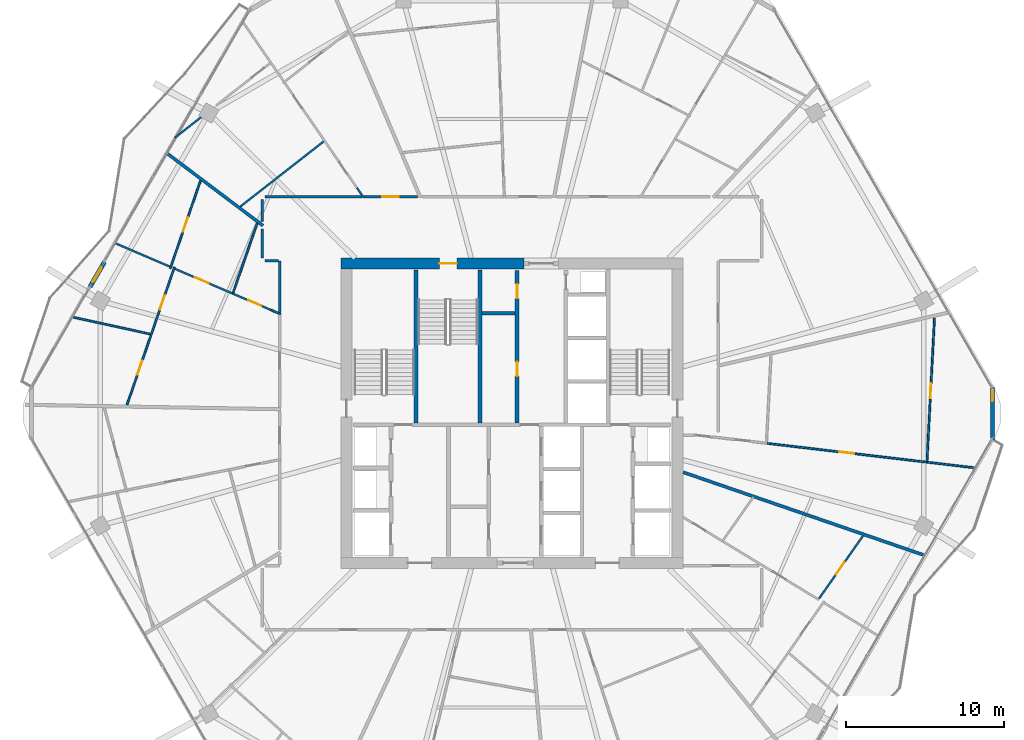
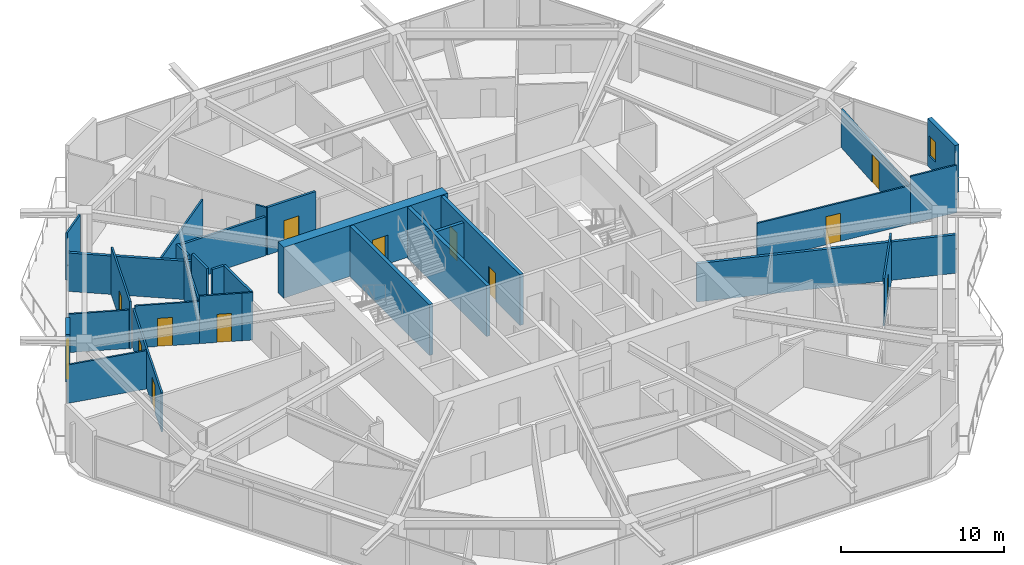
# One storey, part 20 of 26: 30 walls, 13 doors, 1 window, 14 openings.
"""IFC4 building model written with IfcOpenShell, lengths in metres."""

from ifc_helpers import new_model, si_unit, direction, frame, frame_2d, origin, place, context, subcontext, project, spatial, rectangle, extrude, material, layer, layer_set, type_object, element, fill, save


model = new_model("IFC4")

# Units and contexts
model_context = context("Model", 3, precision=1e-05, world=origin(), true_north=direction((0.0, 1.0)))
body_context = subcontext(model_context, "Body", "Model", "MODEL_VIEW")
ifc_project = project(units=[si_unit("LENGTHUNIT", "METRE"), si_unit("AREAUNIT", "SQUARE_METRE"), si_unit("VOLUMEUNIT", "CUBIC_METRE"), si_unit("PLANEANGLEUNIT", "RADIAN"), si_unit("MASSUNIT", "GRAM", prefix="KILO")], contexts=[model_context])

# Site, building, storey
site_placement = place(None, origin())
site = spatial("IfcSite", under=ifc_project, at=site_placement, CompositionType="ELEMENT")
building_placement = place(site_placement, origin())
building = spatial("IfcBuilding", under=site, at=building_placement, Name="Zuhravey Tower", CompositionType="ELEMENT")
storey_placement = place(building_placement, frame((0.0, 0.0, 211.199951171875)))
storey = spatial("IfcBuildingStorey", under=building, at=storey_placement, Name="L53", CompositionType="ELEMENT", Elevation=211.199951171875)

# Wall, opening, door
ifc_material_1 = material(Name="Concrete C60/75", Category="concrete")
ifc_layer_1 = layer(ifc_material_1, 0.699951171875)
ifc_layer_set_1 = layer_set([ifc_layer_1], Name="Concrete C60/75")
wall_type_1 = type_object("IfcWallType", Name="Core Shear Wall 700", PredefinedType="SHEAR", material=ifc_layer_set_1)
wall_1_placement = place(storey_placement, frame((36.75, 41.5, 0.0), z_axis=(0.0, 0.0, 1.0), x_axis=(-1.0, 0.0, 0.0)))
wall_1 = element("IfcWall", 1, at=wall_1_placement, inside=storey, type_object=wall_type_1, Name="L53 North-West Core Shear Wall CW70", PredefinedType="SHEAR", context=body_context, shape_type="SweptSolid", body=[
    extrude(rectangle(XDim=11.60009765625, YDim=0.699951171875, at=frame_2d((5.800048828125, 0.0))), origin(), (0.0, 0.0, 1.0), 3.800048828125),
])
opening_1_placement = place(wall_1_placement, frame((4.25, 0.0, 0.0)))
opening_1 = element("IfcOpeningElement", 2, at=opening_1_placement, cuts=wall_1, Name="Opening STD1", PredefinedType="OPENING", context=body_context, shape_type="SweptSolid", body=[
    extrude(rectangle(XDim=1.10009765625, YDim=2.14990234375, at=frame_2d((0.550048828125, 1.074951171875))), frame((0.0, 0.362060546875, 0.0), z_axis=(0.0, -1.0, 0.0), x_axis=(1.0, 0.0, 0.0)), (0.0, 0.0, 1.0), 0.723876953125),
])
ifc_material_2 = material(Name="Galvanised fire-rated steel leaf", Category="steel")
door_type_1 = type_object("IfcDoorType", Name="Protected Stair Fire Door 1100x2150", OperationType="NOTDEFINED", PredefinedType="USERDEFINED", material=ifc_material_2)
door_1_placement = place(opening_1_placement, origin())
door_1 = element("IfcDoor", 3, at=door_1_placement, inside=storey, type_object=door_type_1, Name="L53 Stair ST3 Door", ObjectType="EXITDOOR", OperationType="SINGLE_SWING_LEFT", OverallHeight=2.14990234375, OverallWidth=1.10009765625, PredefinedType="USERDEFINED", context=body_context, shape_type="SweptSolid", body=[
    extrude(rectangle(XDim=1.10009765625, YDim=2.14990234375, at=frame_2d((0.550048828125, 1.074951171875))), frame((0.0, 0.02490234375, 0.0), z_axis=(0.0, -1.0, 0.0), x_axis=(1.0, 0.0, 0.0)), (0.0, 0.0, 1.0), 0.050048828125),
])
fill(opening_1, door_1)

ifc_material_3 = material(Name="Gypsum fire-rated stud partition")
ifc_layer_2 = layer(ifc_material_3, 0.159912109375)
ifc_layer_set_2 = layer_set([ifc_layer_2], Name="Gypsum fire-rated stud partition")
wall_type_2 = type_object("IfcWallType", Name="Corridor Fire Partition 160", PredefinedType="PARTITIONING", material=ifc_layer_set_2)
wall_2_placement = place(storey_placement, frame((30.00830078125, 45.72998046875, 0.0), z_axis=(0.0, 0.0, 1.0), x_axis=(-1.0, 0.0, 0.0)))
wall_2 = element("IfcWall", 4, at=wall_2_placement, inside=storey, type_object=wall_type_2, Name="L53 IW16 Partition 035", PredefinedType="PARTITIONING", context=body_context, shape_type="SweptSolid", body=[
    extrude(rectangle(XDim=3.427490234375, YDim=0.159912109375, at=frame_2d((1.7138671875, 0.0))), origin(), (0.0, 0.0, 1.0), 3.550048828125),
])
opening_2_placement = place(wall_2_placement, frame((1.188720703125, 0.0, 0.0)))
opening_2 = element("IfcOpeningElement", 5, at=opening_2_placement, cuts=wall_2, Name="Opening APD1", PredefinedType="OPENING", context=body_context, shape_type="SweptSolid", body=[
    extrude(rectangle(XDim=1.050048828125, YDim=2.14990234375, at=frame_2d((0.52490234375, 1.074951171875))), frame((0.0, 0.092041015625, 0.0), z_axis=(0.0, -1.0, 0.0), x_axis=(1.0, 0.0, 0.0)), (0.0, 0.0, 1.0), 0.183837890625),
])
ifc_material_4 = material(Name="Solid-core oak fire-rated leaf")
door_type_2 = type_object("IfcDoorType", Name="Apartment Entrance Fire Door 1050x2150", OperationType="NOTDEFINED", PredefinedType="DOOR", material=ifc_material_4)
door_2_placement = place(opening_2_placement, frame((1.050048828125, 0.0, 0.0), z_axis=(0.0, 0.0, 1.0), x_axis=(-1.0, 0.0, 0.0)))
door_2 = element("IfcDoor", 6, at=door_2_placement, inside=storey, type_object=door_type_2, Name="L53 Door 035.1", OperationType="SINGLE_SWING_LEFT", OverallHeight=2.14990234375, OverallWidth=1.050048828125, PredefinedType="DOOR", context=body_context, shape_type="SweptSolid", body=[
    extrude(rectangle(XDim=1.050048828125, YDim=2.14990234375, at=frame_2d((0.52490234375, 1.074951171875))), frame((0.0, 0.02490234375, 0.0), z_axis=(0.0, -1.0, 0.0), x_axis=(1.0, 0.0, 0.0)), (0.0, 0.0, 1.0), 0.050048828125),
])
fill(opening_2, door_2)

# Walls
wall_3_placement = place(storey_placement, frame((26.47412109375, 45.72998046875, 0.0), z_axis=(0.0, 0.0, 1.0), x_axis=(-1.0, 0.0, 0.0)))
element("IfcWall", 7, at=wall_3_placement, inside=storey, type_object=wall_type_2, Name="L53 IW16 Partition 124", PredefinedType="PARTITIONING", context=body_context, shape_type="SweptSolid", body=[
    extrude(rectangle(XDim=6.1240234375, YDim=0.159912109375, at=frame_2d((3.06201171875, 0.0))), origin(), (0.0, 0.0, 1.0), 2.900146484375),
])
wall_4_placement = place(storey_placement, frame((20.169921875, 45.550048828125, 0.0), z_axis=(0.0, 0.0, 1.0), x_axis=(0.0, -1.0, 0.0)))
element("IfcWall", 8, at=wall_4_placement, inside=storey, type_object=wall_type_2, Name="L53 IW16 Partition 125", PredefinedType="PARTITIONING", context=body_context, shape_type="SweptSolid", body=[
    extrude(rectangle(XDim=1.3779296875, YDim=0.159912109375, at=frame_2d((0.68896484375, 0.0))), origin(), (0.0, 0.0, 1.0), 3.150146484375),
])
wall_5_placement = place(storey_placement, frame((21.27001953125, 41.669921875, 0.0), z_axis=(0.0, 0.0, 1.0), x_axis=(0.0, -1.0, 0.0)))
element("IfcWall", 9, at=wall_5_placement, inside=storey, type_object=wall_type_2, Name="L53 IW16 Partition 126", PredefinedType="PARTITIONING", context=body_context, shape_type="SweptSolid", body=[
    extrude(rectangle(XDim=3.28271484375, YDim=0.159912109375, at=frame_2d((1.641357421875, 0.0))), origin(), (0.0, 0.0, 1.0), 3.550048828125),
])
wall_6_placement = place(storey_placement, frame((20.169921875, 43.688720703125, 0.0), z_axis=(0.0, 0.0, 1.0), x_axis=(0.0, -1.0, 0.0)))
element("IfcWall", 10, at=wall_6_placement, inside=storey, type_object=wall_type_2, Name="L53 IW16 Partition 127", PredefinedType="PARTITIONING", context=body_context, shape_type="SweptSolid", body=[
    extrude(rectangle(XDim=1.838623046875, YDim=0.159912109375, at=frame_2d((0.91943359375, 0.0))), origin(), (0.0, 0.0, 1.0), 3.550048828125),
])
wall_7_placement = place(storey_placement, frame((20.35009765625, 41.669921875, 0.0), z_axis=(0.0, 0.0, 1.0), x_axis=(1.0, 0.0, 0.0)))
element("IfcWall", 11, at=wall_7_placement, inside=storey, type_object=wall_type_2, Name="L53 IW16 Partition 128", PredefinedType="PARTITIONING", context=body_context, shape_type="SweptSolid", body=[
    extrude(rectangle(XDim=0.831787109375, YDim=0.159912109375, at=frame_2d((0.416015625, 0.0))), origin(), (0.0, 0.0, 1.0), 3.550048828125),
])

# Wall, opening, door
ifc_material_5 = material(Name="Precast concrete C40/50", Category="concrete")
ifc_layer_3 = layer(ifc_material_5, 0.280029296875)
ifc_layer_set_3 = layer_set([ifc_layer_3], Name="Precast concrete C40/50")
wall_type_3 = type_object("IfcWallType", Name="Crown Architectural Wall 280", PredefinedType="SOLIDWALL", material=ifc_layer_set_3)
wall_8_placement = place(storey_placement, frame((9.244384765625, 40.024169921875, 0.0), z_axis=(0.0, 0.0, 1.0), x_axis=(0.499982180423, 0.866035691677, 0.0)))
wall_8 = element("IfcWall", 12, at=wall_8_placement, inside=storey, type_object=wall_type_3, Name="L53 Face 3 Facade Pier EW28-1", PredefinedType="SOLIDWALL", context=body_context, shape_type="SweptSolid", body=[
    extrude(rectangle(XDim=1.7900390625, YDim=0.280029296875, at=frame_2d((0.89501953125, 0.0))), origin(), (0.0, 0.0, 1.0), 3.550048828125),
])
opening_3_placement = place(wall_8_placement, frame((0.344970703125, 0.0, 0.0)))
opening_3 = element("IfcOpeningElement", 13, at=opening_3_placement, cuts=wall_8, Name="Opening BLD1", PredefinedType="OPENING", context=body_context, shape_type="SweptSolid", body=[
    extrude(rectangle(XDim=1.10009765625, YDim=2.199951171875, at=frame_2d((0.550048828125, 1.10009765625))), frame((0.0, 0.152099609375, 0.0), z_axis=(0.0, -1.0, 0.0), x_axis=(1.0, 0.0, 0.0)), (0.0, 0.0, 1.0), 0.303955078125),
])
ifc_material_6 = material(Name="Thermally broken aluminium and low-E glass", Category="aluminium")
door_type_3 = type_object("IfcDoorType", Name="Balcony & Sky-Tray Glazed Door 1100x2200", OperationType="NOTDEFINED", PredefinedType="DOOR", material=ifc_material_6)
door_3_placement = place(opening_3_placement, frame((1.10009765625, 0.0, 0.0), z_axis=(0.0, 0.0, 1.0), x_axis=(-1.0, 0.0, 0.0)))
door_3 = element("IfcDoor", 14, at=door_3_placement, inside=storey, type_object=door_type_3, Name="L53 Face 3 Wave Balcony Door", OperationType="SINGLE_SWING_RIGHT", OverallHeight=2.199951171875, OverallWidth=1.10009765625, PredefinedType="DOOR", context=body_context, shape_type="SweptSolid", body=[
    extrude(rectangle(XDim=1.10009765625, YDim=2.199951171875, at=frame_2d((0.550048828125, 1.10009765625))), frame((0.0, 0.02490234375, 0.0), z_axis=(0.0, -1.0, 0.0), x_axis=(1.0, 0.0, 0.0)), (0.0, 0.0, 1.0), 0.050048828125),
])
fill(opening_3, door_3)

# Wall, opening, window
wall_9_placement = place(storey_placement, frame((66.4716796875, 33.6826171875, 0.0), z_axis=(0.0, 0.0, 1.0), x_axis=(0.0, -1.0, 0.0)))
wall_9 = element("IfcWall", 15, at=wall_9_placement, inside=storey, type_object=wall_type_3, Name="L53 Rounded Corner Closure Wall EW28-12", PredefinedType="SOLIDWALL", context=body_context, shape_type="SweptSolid", body=[
    extrude(rectangle(XDim=3.365234375, YDim=0.280029296875, at=frame_2d((1.6826171875, 0.0))), origin(), (0.0, 0.0, 1.0), 3.550048828125),
])
opening_4_placement = place(wall_9_placement, frame((0.17919921875, 0.0, 0.85009765625)))
opening_4 = element("IfcOpeningElement", 16, at=opening_4_placement, cuts=wall_9, Name="Opening WN5", PredefinedType="OPENING", context=body_context, shape_type="SweptSolid", body=[
    extrude(rectangle(XDim=0.75, YDim=1.5, at=frame_2d((0.375, 0.75))), frame((0.0, 0.152099609375, 0.0), z_axis=(0.0, -1.0, 0.0), x_axis=(1.0, 0.0, 0.0)), (0.0, 0.0, 1.0), 0.303955078125),
])
ifc_material_7 = material(Name="Thermally broken aluminium and triple low-E glass", Category="aluminium")
window_type = type_object("IfcWindowType", Name="Residential Corner Casement Window 750x1500", PartitioningType="SINGLE_PANEL", PredefinedType="WINDOW", material=ifc_material_7)
window_placement = place(opening_4_placement, origin())
window = element("IfcWindow", 17, at=window_placement, inside=storey, type_object=window_type, Name="L53 Corner Casement Window WN5-12.1", OverallHeight=1.5, OverallWidth=0.75, PartitioningType="SINGLE_PANEL", PredefinedType="WINDOW", context=body_context, shape_type="SweptSolid", body=[
    extrude(rectangle(XDim=0.75, YDim=1.5, at=frame_2d((0.375, 0.75))), frame((0.0, 0.030029296875, 0.0), z_axis=(0.0, -1.0, 0.0), x_axis=(1.0, 0.0, 0.0)), (0.0, 0.0, 1.0), 0.06005859375),
])
fill(opening_4, window)

# Walls
ifc_material_8 = material(Name="Concrete C50/60", Category="concrete")
ifc_layer_4 = layer(ifc_material_8, 0.25)
ifc_layer_set_4 = layer_set([ifc_layer_4], Name="Concrete C50/60")
wall_type_4 = type_object("IfcWallType", Name="Firefighting Shaft & Stair Wall 250", PredefinedType="SOLIDWALL", material=ifc_layer_set_4)
for number, where, z_axis, x_axis, name in (
    (18, (29.925048828125, 31.39990234375, 0.0), (0.0, 0.0, 1.0), (0.0, 1.0, 0.0), "L53 FW25 Shaft Wall 004"),
    (19, (33.97509765625, 31.39990234375, 0.0), (0.0, 0.0, 1.0), (0.0, 1.0, 0.0), "L53 FW25 Shaft Wall 005"),
):
    element("IfcWall", number, at=place(storey_placement, frame(where, z_axis=z_axis, x_axis=x_axis)), inside=storey, type_object=wall_type_4, Name=name, PredefinedType="SOLIDWALL", context=body_context, shape_type="SweptSolid", body=[
        extrude(rectangle(XDim=9.7001953125, YDim=0.25, at=frame_2d((4.85009765625, 0.0))), origin(), (0.0, 0.0, 1.0), 3.800048828125),
    ])

# Wall, openings, doors
wall_10_placement = place(storey_placement, frame((36.324951171875, 31.39990234375, 0.0), z_axis=(0.0, 0.0, 1.0), x_axis=(0.0, 1.0, 0.0)))
wall_10 = element("IfcWall", 20, at=wall_10_placement, inside=storey, type_object=wall_type_4, Name="L53 FW25 Shaft Wall 007", PredefinedType="SOLIDWALL", context=body_context, shape_type="SweptSolid", body=[
    extrude(rectangle(XDim=9.650146484375, YDim=0.25, at=frame_2d((4.8251953125, 0.0))), origin(), (0.0, 0.0, 1.0), 3.800048828125),
])
opening_5_placement = place(wall_10_placement, frame((2.965087890625, 0.0, 0.0)))
opening_5 = element("IfcOpeningElement", 21, at=opening_5_placement, cuts=wall_10, Name="Opening RSD1", PredefinedType="OPENING", context=body_context, shape_type="SweptSolid", body=[
    extrude(rectangle(XDim=0.89990234375, YDim=2.10009765625, at=frame_2d((0.449951171875, 1.050048828125))), frame((0.0, 0.136962890625, 0.0), z_axis=(0.0, -1.0, 0.0), x_axis=(1.0, 0.0, 0.0)), (0.0, 0.0, 1.0), 0.27392578125),
])
opening_6_placement = place(wall_10_placement, frame((7.885009765625, 0.0, 0.0)))
opening_6 = element("IfcOpeningElement", 22, at=opening_6_placement, cuts=wall_10, Name="Opening RSD1", PredefinedType="OPENING", context=body_context, shape_type="SweptSolid", body=[
    extrude(rectangle(XDim=0.89990234375, YDim=2.10009765625, at=frame_2d((0.449951171875, 1.050048828125))), frame((0.0, 0.136962890625, 0.0), z_axis=(0.0, -1.0, 0.0), x_axis=(1.0, 0.0, 0.0)), (0.0, 0.0, 1.0), 0.27392578125),
])
ifc_material_9 = material(Name="Galvanised fire-rated steel access leaf", Category="steel")
door_type_4 = type_object("IfcDoorType", Name="Riser & Shaft Access Fire Door 900x2100", OperationType="NOTDEFINED", PredefinedType="DOOR", material=ifc_material_9)
door_4_placement = place(opening_5_placement, origin())
door_4 = element("IfcDoor", 23, at=door_4_placement, inside=storey, type_object=door_type_4, Name="L53 Equipment and Refuse Store Door", OperationType="SINGLE_SWING_LEFT", OverallHeight=2.10009765625, OverallWidth=0.89990234375, PredefinedType="DOOR", context=body_context, shape_type="SweptSolid", body=[
    extrude(rectangle(XDim=0.89990234375, YDim=2.10009765625, at=frame_2d((0.449951171875, 1.050048828125))), frame((0.0, 0.02490234375, 0.0), z_axis=(0.0, -1.0, 0.0), x_axis=(1.0, 0.0, 0.0)), (0.0, 0.0, 1.0), 0.050048828125),
])
fill(opening_5, door_4)
door_5_placement = place(opening_6_placement, origin())
door_5 = element("IfcDoor", 24, at=door_5_placement, inside=storey, type_object=door_type_4, Name="L53 BMS Control Room Door", OperationType="SINGLE_SWING_RIGHT", OverallHeight=2.10009765625, OverallWidth=0.89990234375, PredefinedType="DOOR", context=body_context, shape_type="SweptSolid", body=[
    extrude(rectangle(XDim=0.89990234375, YDim=2.10009765625, at=frame_2d((0.449951171875, 1.050048828125))), frame((0.0, 0.02490234375, 0.0), z_axis=(0.0, -1.0, 0.0), x_axis=(1.0, 0.0, 0.0)), (0.0, 0.0, 1.0), 0.050048828125),
])
fill(opening_6, door_5)

# Walls
ifc_material_10 = material(Name="Gypsum double-stud party assembly")
ifc_layer_5 = layer(ifc_material_10, 0.199951171875)
ifc_layer_set_5 = layer_set([ifc_layer_5], Name="Gypsum double-stud party assembly")
wall_type_5 = type_object("IfcWallType", Name="Inter-Tenancy Party Wall 200", PredefinedType="PARTITIONING", material=ifc_layer_set_5)
wall_11_placement = place(storey_placement, frame((20.2099609375, 43.898681640625, 0.0), z_axis=(0.0, 0.0, 1.0), x_axis=(-0.798624602277, 0.601829497979, 0.0)))
element("IfcWall", 25, at=wall_11_placement, inside=storey, type_object=wall_type_5, Name="L53 IW20 Partition 090", PredefinedType="PARTITIONING", context=body_context, shape_type="SweptSolid", body=[
    extrude(rectangle(XDim=7.615966796875, YDim=0.199951171875, at=frame_2d((3.80810546875, 0.0))), origin(), (0.0, 0.0, 1.0), 2.8701171875),
])
wall_12_placement = place(storey_placement, frame((46.85791015625, 28.26123046875, 0.0), z_axis=(0.0, 0.0, 1.0), x_axis=(0.945519192018, -0.325566364243, 0.0)))
element("IfcWall", 26, at=wall_12_placement, inside=storey, type_object=wall_type_5, Name="L53 IW20 Partition 117", PredefinedType="PARTITIONING", context=body_context, shape_type="SweptSolid", body=[
    extrude(rectangle(XDim=16.208251953125, YDim=0.199951171875, at=frame_2d((8.10400390625, 0.0))), origin(), (0.0, 0.0, 1.0), 2.8701171875),
])
ifc_material_11 = material(Name="Gypsum acoustic stud assembly")
ifc_layer_6 = layer(ifc_material_11, 0.219970703125)
ifc_layer_set_6 = layer_set([ifc_layer_6], Name="Gypsum acoustic stud assembly")
wall_type_6 = type_object("IfcWallType", Name="School Acoustic Compartment Wall 220", PredefinedType="PARTITIONING", material=ifc_layer_set_6)
wall_13_placement = place(storey_placement, frame((34.10791015625, 38.35009765625, 0.0), z_axis=(0.0, 0.0, 1.0), x_axis=(1.0, 0.0, 0.0)))
element("IfcWall", 27, at=wall_13_placement, inside=storey, type_object=wall_type_6, Name="L53 IW22 Partition 070", PredefinedType="PARTITIONING", context=body_context, shape_type="SweptSolid", body=[
    extrude(rectangle(XDim=2.083984375, YDim=0.219970703125, at=frame_2d((1.0419921875, 0.0))), origin(), (0.0, 0.0, 1.0), 3.550048828125),
])

# Wall, openings, doors
ifc_material_12 = material(Name="Gypsum metal-stud partition")
ifc_layer_7 = layer(ifc_material_12, 0.1201171875)
ifc_layer_set_7 = layer_set([ifc_layer_7], Name="Gypsum metal-stud partition")
wall_type_7 = type_object("IfcWallType", Name="Unit Internal Partition 120", PredefinedType="PARTITIONING", material=ifc_layer_set_7)
wall_14_placement = place(storey_placement, frame((14.595703125, 41.28271484375, 0.0), z_axis=(0.0, 0.0, 1.0), x_axis=(-0.325558599515, -0.945521865576, 0.0)))
wall_14 = element("IfcWall", 28, at=wall_14_placement, inside=storey, type_object=wall_type_7, Name="L53 IW12 Partition 036", PredefinedType="PARTITIONING", context=body_context, shape_type="SweptSolid", body=[
    extrude(rectangle(XDim=9.2470703125, YDim=0.1201171875, at=frame_2d((4.62353515625, 0.0))), origin(), (0.0, 0.0, 1.0), 2.900146484375),
])
opening_7_placement = place(wall_14_placement, frame((1.906005859375, 0.0, 0.0)))
opening_7 = element("IfcOpeningElement", 29, at=opening_7_placement, cuts=wall_14, Name="Opening IND1", PredefinedType="OPENING", context=body_context, shape_type="SweptSolid", body=[
    extrude(rectangle(XDim=0.949951171875, YDim=2.10009765625, at=frame_2d((0.47509765625, 1.050048828125))), frame((0.0, 0.072021484375, 0.0), z_axis=(0.0, -1.0, 0.0), x_axis=(1.0, 0.0, 0.0)), (0.0, 0.0, 1.0), 0.14404296875),
])
opening_8_placement = place(wall_14_placement, frame((6.288818359375, 0.0, 0.0)))
opening_8 = element("IfcOpeningElement", 30, at=opening_8_placement, cuts=wall_14, Name="Opening IND1", PredefinedType="OPENING", context=body_context, shape_type="SweptSolid", body=[
    extrude(rectangle(XDim=0.949951171875, YDim=2.10009765625, at=frame_2d((0.47509765625, 1.050048828125))), frame((0.0, 0.072021484375, 0.0), z_axis=(0.0, -1.0, 0.0), x_axis=(1.0, 0.0, 0.0)), (0.0, 0.0, 1.0), 0.14404296875),
])
ifc_material_13 = material(Name="Painted engineered timber leaf", Category="wood")
door_type_5 = type_object("IfcDoorType", Name="Internal Room & Bedroom Door 950x2100", OperationType="NOTDEFINED", PredefinedType="DOOR", material=ifc_material_13)
door_6_placement = place(opening_7_placement, frame((0.949951171875, 0.0, 0.0), z_axis=(0.0, 0.0, 1.0), x_axis=(-1.0, 0.0, 0.0)))
door_6 = element("IfcDoor", 31, at=door_6_placement, inside=storey, type_object=door_type_5, Name="Apartment L53-04 Family Study Door", OperationType="SINGLE_SWING_RIGHT", OverallHeight=2.10009765625, OverallWidth=0.949951171875, PredefinedType="DOOR", context=body_context, shape_type="SweptSolid", body=[
    extrude(rectangle(XDim=0.949951171875, YDim=2.10009765625, at=frame_2d((0.47509765625, 1.050048828125))), frame((0.0, 0.02490234375, 0.0), z_axis=(0.0, -1.0, 0.0), x_axis=(1.0, 0.0, 0.0)), (0.0, 0.0, 1.0), 0.050048828125),
])
fill(opening_7, door_6)
door_7_placement = place(opening_8_placement, frame((0.949951171875, 0.0, 0.0), z_axis=(0.0, 0.0, 1.0), x_axis=(-1.0, 0.0, 0.0)))
door_7 = element("IfcDoor", 32, at=door_7_placement, inside=storey, type_object=door_type_5, Name="Apartment L53-04 Dining Room Door", OperationType="SINGLE_SWING_LEFT", OverallHeight=2.10009765625, OverallWidth=0.949951171875, PredefinedType="DOOR", context=body_context, shape_type="SweptSolid", body=[
    extrude(rectangle(XDim=0.949951171875, YDim=2.10009765625, at=frame_2d((0.47509765625, 1.050048828125))), frame((0.0, 0.02490234375, 0.0), z_axis=(0.0, -1.0, 0.0), x_axis=(1.0, 0.0, 0.0)), (0.0, 0.0, 1.0), 0.050048828125),
])
fill(opening_8, door_7)

# Wall, opening, door
wall_15_placement = place(storey_placement, frame((20.699951171875, 38.5576171875, 0.0), z_axis=(0.0, 0.0, 1.0), x_axis=(-0.919154606235, 0.393896953322, 0.0)))
wall_15 = element("IfcWall", 33, at=wall_15_placement, inside=storey, type_object=wall_type_7, Name="L53 IW12 Partition 037", PredefinedType="PARTITIONING", context=body_context, shape_type="SweptSolid", body=[
    extrude(rectangle(XDim=2.63720703125, YDim=0.1201171875, at=frame_2d((1.318603515625, 0.0))), origin(), (0.0, 0.0, 1.0), 3.550048828125),
])
opening_9_placement = place(wall_15_placement, frame((0.65771484375, 0.0, 0.0)))
opening_9 = element("IfcOpeningElement", 34, at=opening_9_placement, cuts=wall_15, Name="Opening WCD1", PredefinedType="OPENING", context=body_context, shape_type="SweptSolid", body=[
    extrude(rectangle(XDim=0.89990234375, YDim=2.10009765625, at=frame_2d((0.449951171875, 1.050048828125))), frame((0.0, 0.072021484375, 0.0), z_axis=(0.0, -1.0, 0.0), x_axis=(1.0, 0.0, 0.0)), (0.0, 0.0, 1.0), 0.14404296875),
])
ifc_material_14 = material(Name="Moisture-resistant timber leaf", Category="wood")
door_type_6 = type_object("IfcDoorType", Name="Bathroom & WC Internal Door 900x2100", OperationType="NOTDEFINED", PredefinedType="DOOR", material=ifc_material_14)
door_8_placement = place(opening_9_placement, frame((0.89990234375, 0.0, 0.0), z_axis=(0.0, 0.0, 1.0), x_axis=(-1.0, 0.0, 0.0)))
door_8 = element("IfcDoor", 35, at=door_8_placement, inside=storey, type_object=door_type_6, Name="Apartment L53-04 Bathroom Door", OperationType="SINGLE_SWING_RIGHT", OverallHeight=2.10009765625, OverallWidth=0.89990234375, PredefinedType="DOOR", context=body_context, shape_type="SweptSolid", body=[
    extrude(rectangle(XDim=0.89990234375, YDim=2.10009765625, at=frame_2d((0.449951171875, 1.050048828125))), frame((0.0, 0.02490234375, 0.0), z_axis=(0.0, -1.0, 0.0), x_axis=(1.0, 0.0, 0.0)), (0.0, 0.0, 1.0), 0.050048828125),
])
fill(opening_9, door_8)

wall_16_placement = place(storey_placement, frame((18.27587890625, 39.596435546875, 0.0), z_axis=(0.0, 0.0, 1.0), x_axis=(-0.919125948941, 0.393963818115, 0.0)))
wall_16 = element("IfcWall", 36, at=wall_16_placement, inside=storey, type_object=wall_type_7, Name="L53 IW12 Partition 038", PredefinedType="PARTITIONING", context=body_context, shape_type="SweptSolid", body=[
    extrude(rectangle(XDim=3.970947265625, YDim=0.1201171875, at=frame_2d((1.9853515625, 0.0))), origin(), (0.0, 0.0, 1.0), 3.150146484375),
])
opening_10_placement = place(wall_16_placement, frame((1.642333984375, 0.0, 0.0)))
opening_10 = element("IfcOpeningElement", 37, at=opening_10_placement, cuts=wall_16, Name="Opening IND1", PredefinedType="OPENING", context=body_context, shape_type="SweptSolid", body=[
    extrude(rectangle(XDim=0.949951171875, YDim=2.10009765625, at=frame_2d((0.47509765625, 1.050048828125))), frame((0.0, 0.072021484375, 0.0), z_axis=(0.0, -1.0, 0.0), x_axis=(1.0, 0.0, 0.0)), (0.0, 0.0, 1.0), 0.14404296875),
])
door_9_placement = place(opening_10_placement, frame((0.949951171875, 0.0, 0.0), z_axis=(0.0, 0.0, 1.0), x_axis=(-1.0, 0.0, 0.0)))
door_9 = element("IfcDoor", 38, at=door_9_placement, inside=storey, type_object=door_type_5, Name="Apartment L53-04 Home Office Door", OperationType="SINGLE_SWING_LEFT", OverallHeight=2.10009765625, OverallWidth=0.949951171875, PredefinedType="DOOR", context=body_context, shape_type="SweptSolid", body=[
    extrude(rectangle(XDim=0.949951171875, YDim=2.10009765625, at=frame_2d((0.47509765625, 1.050048828125))), frame((0.0, 0.02490234375, 0.0), z_axis=(0.0, -1.0, 0.0), x_axis=(1.0, 0.0, 0.0)), (0.0, 0.0, 1.0), 0.050048828125),
])
fill(opening_10, door_9)

wall_17_placement = place(storey_placement, frame((16.243896484375, 46.7431640625, 0.0), z_axis=(0.0, 0.0, 1.0), x_axis=(-0.325548210575, -0.945525442593, 0.0)))
wall_17 = element("IfcWall", 39, at=wall_17_placement, inside=storey, type_object=wall_type_7, Name="L53 IW12 Partition 039", PredefinedType="PARTITIONING", context=body_context, shape_type="SweptSolid", body=[
    extrude(rectangle(XDim=5.884033203125, YDim=0.1201171875, at=frame_2d((2.94189453125, 0.0))), origin(), (0.0, 0.0, 1.0), 3.550048828125),
])
opening_11_placement = place(wall_17_placement, frame((2.467041015625, 0.0, 0.0)))
opening_11 = element("IfcOpeningElement", 40, at=opening_11_placement, cuts=wall_17, Name="Opening IND1", PredefinedType="OPENING", context=body_context, shape_type="SweptSolid", body=[
    extrude(rectangle(XDim=0.949951171875, YDim=2.10009765625, at=frame_2d((0.47509765625, 1.050048828125))), frame((0.0, 0.072021484375, 0.0), z_axis=(0.0, -1.0, 0.0), x_axis=(1.0, 0.0, 0.0)), (0.0, 0.0, 1.0), 0.14404296875),
])
door_10_placement = place(opening_11_placement, frame((0.949951171875, 0.0, 0.0), z_axis=(0.0, 0.0, 1.0), x_axis=(-1.0, 0.0, 0.0)))
door_10 = element("IfcDoor", 41, at=door_10_placement, inside=storey, type_object=door_type_5, Name="Apartment L53-04 Bedroom 1 Door", OperationType="SINGLE_SWING_RIGHT", OverallHeight=2.10009765625, OverallWidth=0.949951171875, PredefinedType="DOOR", context=body_context, shape_type="SweptSolid", body=[
    extrude(rectangle(XDim=0.949951171875, YDim=2.10009765625, at=frame_2d((0.47509765625, 1.050048828125))), frame((0.0, 0.02490234375, 0.0), z_axis=(0.0, -1.0, 0.0), x_axis=(1.0, 0.0, 0.0)), (0.0, 0.0, 1.0), 0.050048828125),
])
fill(opening_11, door_10)

wall_18_placement = place(storey_placement, frame((55.47216796875, 20.24951171875, 0.0), z_axis=(0.0, 0.0, 1.0), x_axis=(0.573594011526, 0.819139737738, 0.0)))
wall_18 = element("IfcWall", 42, at=wall_18_placement, inside=storey, type_object=wall_type_7, Name="L53 IW12 Partition 063", PredefinedType="PARTITIONING", context=body_context, shape_type="SweptSolid", body=[
    extrude(rectangle(XDim=4.85302734375, YDim=0.1201171875, at=frame_2d((2.426513671875, 0.0))), origin(), (0.0, 0.0, 1.0), 3.550048828125),
])
opening_12_placement = place(wall_18_placement, frame((1.867431640625, 0.0, 0.0)))
opening_12 = element("IfcOpeningElement", 43, at=opening_12_placement, cuts=wall_18, Name="Opening IND1", PredefinedType="OPENING", context=body_context, shape_type="SweptSolid", body=[
    extrude(rectangle(XDim=0.949951171875, YDim=2.10009765625, at=frame_2d((0.47509765625, 1.050048828125))), frame((0.0, 0.072021484375, 0.0), z_axis=(0.0, -1.0, 0.0), x_axis=(1.0, 0.0, 0.0)), (0.0, 0.0, 1.0), 0.14404296875),
])
door_11_placement = place(opening_12_placement, frame((0.949951171875, 0.0, 0.0), z_axis=(0.0, 0.0, 1.0), x_axis=(-1.0, 0.0, 0.0)))
door_11 = element("IfcDoor", 44, at=door_11_placement, inside=storey, type_object=door_type_5, Name="Apartment L53-09 Kitchen Door", OperationType="SINGLE_SWING_RIGHT", OverallHeight=2.10009765625, OverallWidth=0.949951171875, PredefinedType="DOOR", context=body_context, shape_type="SweptSolid", body=[
    extrude(rectangle(XDim=0.949951171875, YDim=2.10009765625, at=frame_2d((0.47509765625, 1.050048828125))), frame((0.0, 0.02490234375, 0.0), z_axis=(0.0, -1.0, 0.0), x_axis=(1.0, 0.0, 0.0)), (0.0, 0.0, 1.0), 0.050048828125),
])
fill(opening_12, door_11)

wall_19_placement = place(storey_placement, frame((52.159423828125, 30.095947265625, 0.0), z_axis=(0.0, 0.0, 1.0), x_axis=(0.993128962812, -0.117025053828, 0.0)))
wall_19 = element("IfcWall", 45, at=wall_19_placement, inside=storey, type_object=wall_type_7, Name="L53 IW12 Partition 066", PredefinedType="PARTITIONING", context=body_context, shape_type="SweptSolid", body=[
    extrude(rectangle(XDim=10.24951171875, YDim=0.1201171875, at=frame_2d((5.124755859375, 0.0))), origin(), (0.0, 0.0, 1.0), 2.8701171875),
])
opening_13_placement = place(wall_19_placement, frame((4.625, 0.0, 0.0)))
opening_13 = element("IfcOpeningElement", 46, at=opening_13_placement, cuts=wall_19, Name="Opening IND1", PredefinedType="OPENING", context=body_context, shape_type="SweptSolid", body=[
    extrude(rectangle(XDim=0.949951171875, YDim=2.10009765625, at=frame_2d((0.47509765625, 1.050048828125))), frame((0.0, 0.072021484375, 0.0), z_axis=(0.0, -1.0, 0.0), x_axis=(1.0, 0.0, 0.0)), (0.0, 0.0, 1.0), 0.14404296875),
])
door_12_placement = place(opening_13_placement, origin())
door_12 = element("IfcDoor", 47, at=door_12_placement, inside=storey, type_object=door_type_5, Name="Apartment L53-10 Home Office Door", OperationType="SINGLE_SWING_LEFT", OverallHeight=2.10009765625, OverallWidth=0.949951171875, PredefinedType="DOOR", context=body_context, shape_type="SweptSolid", body=[
    extrude(rectangle(XDim=0.949951171875, YDim=2.10009765625, at=frame_2d((0.47509765625, 1.050048828125))), frame((0.0, 0.02490234375, 0.0), z_axis=(0.0, -1.0, 0.0), x_axis=(1.0, 0.0, 0.0)), (0.0, 0.0, 1.0), 0.050048828125),
])
fill(opening_13, door_12)

wall_20_placement = place(storey_placement, frame((62.3173828125, 28.967529296875, 0.0), z_axis=(0.0, 0.0, 1.0), x_axis=(0.052336032443, 0.998629530761, 0.0)))
wall_20 = element("IfcWall", 48, at=wall_20_placement, inside=storey, type_object=wall_type_7, Name="L53 IW12 Partition 067", PredefinedType="PARTITIONING", context=body_context, shape_type="SweptSolid", body=[
    extrude(rectangle(XDim=9.087158203125, YDim=0.1201171875, at=frame_2d((4.54345703125, 0.0))), origin(), (0.0, 0.0, 1.0), 2.8701171875),
])
opening_14_placement = place(wall_20_placement, frame((3.984375, 0.0, 0.0)))
opening_14 = element("IfcOpeningElement", 49, at=opening_14_placement, cuts=wall_20, Name="Opening IND1", PredefinedType="OPENING", context=body_context, shape_type="SweptSolid", body=[
    extrude(rectangle(XDim=0.949951171875, YDim=2.10009765625, at=frame_2d((0.47509765625, 1.050048828125))), frame((0.0, 0.072021484375, 0.0), z_axis=(0.0, -1.0, 0.0), x_axis=(1.0, 0.0, 0.0)), (0.0, 0.0, 1.0), 0.14404296875),
])
door_13_placement = place(opening_14_placement, frame((0.949951171875, 0.0, 0.0), z_axis=(0.0, 0.0, 1.0), x_axis=(-1.0, 0.0, 0.0)))
door_13 = element("IfcDoor", 50, at=door_13_placement, inside=storey, type_object=door_type_5, Name="Apartment L53-10 Bedroom 1 Door", OperationType="SINGLE_SWING_RIGHT", OverallHeight=2.10009765625, OverallWidth=0.949951171875, PredefinedType="DOOR", context=body_context, shape_type="SweptSolid", body=[
    extrude(rectangle(XDim=0.949951171875, YDim=2.10009765625, at=frame_2d((0.47509765625, 1.050048828125))), frame((0.0, 0.02490234375, 0.0), z_axis=(0.0, -1.0, 0.0), x_axis=(1.0, 0.0, 0.0)), (0.0, 0.0, 1.0), 0.050048828125),
])
fill(opening_14, door_13)

# Walls
wall_21_placement = place(storey_placement, frame((26.580810546875, 45.69482421875, 0.0), z_axis=(0.0, 0.0, 1.0), x_axis=(-0.566683975736, 0.823935235103, 0.0)))
element("IfcWall", 51, at=wall_21_placement, inside=storey, type_object=wall_type_7, Name="L53 IW12 Partition 086", PredefinedType="PARTITIONING", context=body_context, shape_type="SweptSolid", body=[
    extrude(rectangle(XDim=0.734619140625, YDim=0.1201171875, at=frame_2d((0.3671875, 0.0))), origin(), (0.0, 0.0, 1.0), 3.550048828125),
])
wall_22_placement = place(storey_placement, frame((24.05908203125, 49.240966796875, 0.0), z_axis=(0.0, 0.0, 1.0), x_axis=(-0.78800895829, -0.615663773219, 0.0)))
element("IfcWall", 52, at=wall_22_placement, inside=storey, type_object=wall_type_7, Name="L53 IW12 Partition 088", PredefinedType="PARTITIONING", context=body_context, shape_type="SweptSolid", body=[
    extrude(rectangle(XDim=6.72314453125, YDim=0.1201171875, at=frame_2d((3.361572265625, 0.0))), origin(), (0.0, 0.0, 1.0), 2.900146484375),
])
wall_23_placement = place(storey_placement, frame((16.279541015625, 50.772705078125, 0.0), z_axis=(0.0, 0.0, 1.0), x_axis=(-0.787993108164, -0.615684059795, 0.0)))
element("IfcWall", 53, at=wall_23_placement, inside=storey, type_object=wall_type_7, Name="L53 IW12 Partition 089", PredefinedType="PARTITIONING", context=body_context, shape_type="SweptSolid", body=[
    extrude(rectangle(XDim=2.131103515625, YDim=0.1201171875, at=frame_2d((1.0654296875, 0.0))), origin(), (0.0, 0.0, 1.0), 3.550048828125),
])
wall_24_placement = place(storey_placement, frame((13.057373046875, 37.023193359375, 0.0), z_axis=(0.0, 0.0, 1.0), x_axis=(-0.976856341371, 0.21389644299, 0.0)))
element("IfcWall", 54, at=wall_24_placement, inside=storey, type_object=wall_type_7, Name="L53 IW12 Partition 091", PredefinedType="PARTITIONING", context=body_context, shape_type="SweptSolid", body=[
    extrude(rectangle(XDim=5.0712890625, YDim=0.1201171875, at=frame_2d((2.53564453125, 0.0))), origin(), (0.0, 0.0, 1.0), 2.8701171875),
])
wall_25_placement = place(storey_placement, frame((21.31298828125, 38.294921875, 0.0), z_axis=(0.0, 0.0, 1.0), x_axis=(-0.919163962833, 0.393875119079, 0.0)))
element("IfcWall", 55, at=wall_25_placement, inside=storey, type_object=wall_type_7, Name="L53 IW12 Partition 092", PredefinedType="PARTITIONING", context=body_context, shape_type="SweptSolid", body=[
    extrude(rectangle(XDim=0.6669921875, YDim=0.1201171875, at=frame_2d((0.33349609375, 0.0))), origin(), (0.0, 0.0, 1.0), 3.550048828125),
])
wall_26_placement = place(storey_placement, frame((14.29833984375, 41.30126953125, 0.0), z_axis=(0.0, 0.0, 1.0), x_axis=(-0.919128279921, 0.393958379845, 0.0)))
element("IfcWall", 56, at=wall_26_placement, inside=storey, type_object=wall_type_7, Name="L53 IW12 Partition 093", PredefinedType="PARTITIONING", context=body_context, shape_type="SweptSolid", body=[
    extrude(rectangle(XDim=3.769775390625, YDim=0.1201171875, at=frame_2d((1.884765625, 0.0))), origin(), (0.0, 0.0, 1.0), 2.8701171875),
])
wall_27_placement = place(storey_placement, frame((19.83447265625, 44.04638671875, 0.0), z_axis=(0.0, 0.0, 1.0), x_axis=(-0.325524485892, -0.945533610764, 0.0)))
element("IfcWall", 57, at=wall_27_placement, inside=storey, type_object=wall_type_7, Name="L53 IW12 Partition 094", PredefinedType="PARTITIONING", context=body_context, shape_type="SweptSolid", body=[
    extrude(rectangle(XDim=4.6484375, YDim=0.1201171875, at=frame_2d((2.32421875, 0.0))), origin(), (0.0, 0.0, 1.0), 3.150146484375),
])
wall_28_placement = place(storey_placement, frame((62.338623046875, 28.896484375, 0.0), z_axis=(0.0, 0.0, 1.0), x_axis=(0.99313759999, -0.116951731436, 0.0)))
element("IfcWall", 58, at=wall_28_placement, inside=storey, type_object=wall_type_7, Name="L53 IW12 Partition 119", PredefinedType="PARTITIONING", context=body_context, shape_type="SweptSolid", body=[
    extrude(rectangle(XDim=3.076904296875, YDim=0.1201171875, at=frame_2d((1.53857421875, 0.0))), origin(), (0.0, 0.0, 1.0), 3.550048828125),
])

save(model, "model.ifc")
